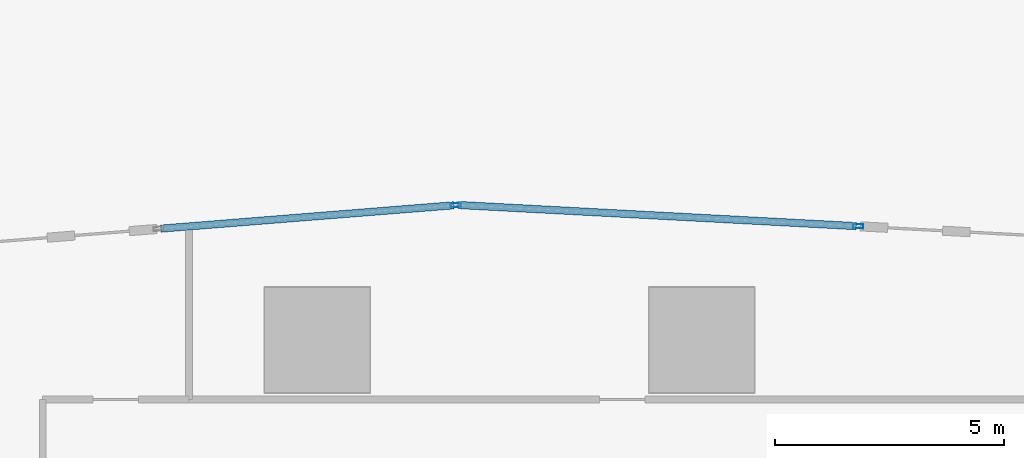
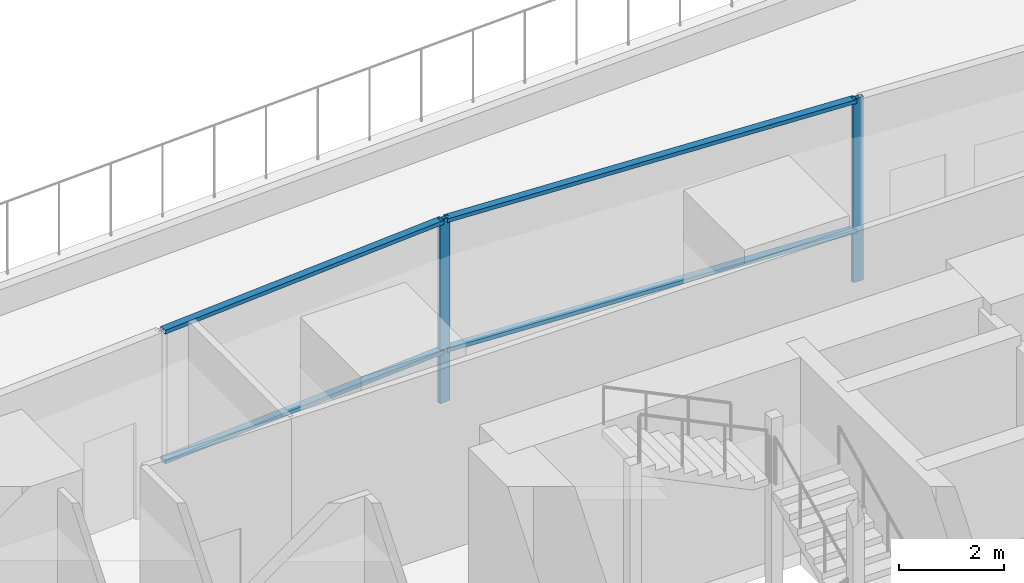
# One storey, part 10 of 39: 6 members, 2 elements without a shape of their own.
"""IFC4 building model written with IfcOpenShell, lengths in metres."""

from ifc_helpers import new_model, si_unit, direction, frame, origin, origin_2d, place, context, subcontext, project, spatial, hollow_rectangle, extrude, material, material_profile, profile_set, type_object, element, aggregate, save


model = new_model("IFC4")

# Units and contexts
model_context = context("Model", 3, precision=1e-05, world=origin(), true_north=direction((0.0, 1.0)))
body_context = subcontext(model_context, "Body", "Model", "MODEL_VIEW")
ifc_project = project(units=[si_unit("LENGTHUNIT", "METRE"), si_unit("AREAUNIT", "SQUARE_METRE"), si_unit("VOLUMEUNIT", "CUBIC_METRE"), si_unit("PLANEANGLEUNIT", "RADIAN"), si_unit("MASSUNIT", "GRAM", prefix="KILO")], contexts=[model_context])

# Site, building, storey
site_placement = place(None, origin())
site = spatial("IfcSite", under=ifc_project, at=site_placement, CompositionType="ELEMENT")
building_placement = place(site_placement, origin())
building = spatial("IfcBuilding", under=site, at=building_placement, Name="Rekha Terrace Tower", CompositionType="ELEMENT")
storey_placement = place(building_placement, frame((0.0, 0.0, 245.60009765625)))
storey = spatial("IfcBuildingStorey", under=building, at=storey_placement, Name="L62", CompositionType="ELEMENT", Elevation=245.60009765625)

# Curtain wall, member
ifc_material_1 = material(Name="Aluminium framing", Category="aluminium")
curtain_wall_type = type_object("IfcCurtainWallType", Name="CW5 sky garden glazing", PredefinedType="USERDEFINED", material=ifc_material_1)
curtain_wall_1_placement = place(storey_placement, origin())
curtain_wall_1 = element("IfcCurtainWall", 1, at=curtain_wall_1_placement, inside=storey, type_object=curtain_wall_type, Name="CW5 sky garden curtain wall", ObjectType="SKY GARDEN CURTAIN WALL", PredefinedType="USERDEFINED")
ifc_material_2 = material(Name="Aluminium mullion section", Category="aluminium")
ifc_material_profile_1 = material_profile(ifc_material_2, hollow_rectangle(XDim=0.090087890625, YDim=0.219970703125, WallThickness=0.00390625, at=origin_2d()), Name="AL RHS 90x220")
ifc_profile_set_1 = profile_set([ifc_material_profile_1], Name="Aluminium mullion section")
member_type_1 = type_object("IfcMemberType", Name="CW5 mullion RHS 90 x 220", PredefinedType="MULLION", material=ifc_profile_set_1)
member_1_placement = place(storey_placement, frame((37.021240234375, 52.884521484375, 0.0), z_axis=(0.0, 0.0, 1.0), x_axis=(-0.053083275576, -0.998590089003, 0.0)))
member_1 = element("IfcMember", 2, at=member_1_placement, type_object=member_type_1, Name="CW5 mullion 1", PredefinedType="MULLION", context=body_context, shape_type="SweptSolid", body=[
    extrude(hollow_rectangle(XDim=0.090087890625, YDim=0.219970703125, WallThickness=0.00390625, at=origin_2d()), origin(), (0.0, 0.0, 1.0), 4.25),
])

curtain_wall_2_placement = place(storey_placement, origin())
curtain_wall_2 = element("IfcCurtainWall", 3, at=curtain_wall_2_placement, inside=storey, type_object=curtain_wall_type, Name="CW5 sky garden curtain wall", ObjectType="SKY GARDEN CURTAIN WALL", PredefinedType="USERDEFINED")
member_2_placement = place(storey_placement, frame((28.227783203125, 53.345947265625, 0.0), z_axis=(0.0, 0.0, 1.0), x_axis=(0.079485051575, -0.996836058024, 0.0)))
member_2 = element("IfcMember", 4, at=member_2_placement, type_object=member_type_1, Name="CW5 mullion 1", PredefinedType="MULLION", context=body_context, shape_type="SweptSolid", body=[
    extrude(hollow_rectangle(XDim=0.090087890625, YDim=0.219970703125, WallThickness=0.00390625, at=origin_2d()), origin(), (0.0, 0.0, 1.0), 4.25),
])

# Member
ifc_material_3 = material(Name="Aluminium transom section", Category="aluminium")
ifc_material_profile_2 = material_profile(ifc_material_3, hollow_rectangle(XDim=0.159912109375, YDim=0.090087890625, WallThickness=0.0029296875, at=origin_2d()), Name="AL RHS 160x90")
ifc_profile_set_2 = profile_set([ifc_material_profile_2], Name="Aluminium transom section")
member_type_2 = type_object("IfcMemberType", Name="CW5 transom RHS 90 x 160", PredefinedType="USERDEFINED", material=ifc_profile_set_2)
member_3_placement = place(storey_placement, frame((36.976318359375, 52.886962890625, 1.199951171875), z_axis=(-0.998590223648, 0.053080742603, 0.0), x_axis=(-0.053080742603, -0.998590223648, 0.0)))
member_3 = element("IfcMember", 5, at=member_3_placement, type_object=member_type_2, Name="CW5 transom 1.2", ObjectType="TRANSOM", PredefinedType="USERDEFINED", context=body_context, shape_type="SweptSolid", body=[
    extrude(hollow_rectangle(XDim=0.159912109375, YDim=0.090087890625, WallThickness=0.0029296875, at=origin_2d()), origin(), (0.0, 0.0, 1.0), 8.7158203125),
])

member_4_placement = place(storey_placement, frame((36.976318359375, 52.886962890625, 4.204833984375), z_axis=(-0.998590223648, 0.053080742603, 0.0), x_axis=(-0.053080742603, -0.998590223648, 0.0)))
member_4 = element("IfcMember", 6, at=member_4_placement, type_object=member_type_2, Name="CW5 transom 1.3", ObjectType="TRANSOM", PredefinedType="USERDEFINED", context=body_context, shape_type="SweptSolid", body=[
    extrude(hollow_rectangle(XDim=0.159912109375, YDim=0.090087890625, WallThickness=0.0029296875, at=origin_2d()), origin(), (0.0, 0.0, 1.0), 8.7158203125),
])

aggregate(curtain_wall_1, [member_1, member_3, member_4])

member_5_placement = place(storey_placement, frame((28.182861328125, 53.342529296875, 1.199951171875), z_axis=(-0.996835433516, -0.079492883242, 0.0), x_axis=(0.079492883242, -0.996835433516, 0.0)))
member_5 = element("IfcMember", 7, at=member_5_placement, type_object=member_type_2, Name="CW5 transom 1.2", ObjectType="TRANSOM", PredefinedType="USERDEFINED", context=body_context, shape_type="SweptSolid", body=[
    extrude(hollow_rectangle(XDim=0.159912109375, YDim=0.090087890625, WallThickness=0.0029296875, at=origin_2d()), origin(), (0.0, 0.0, 1.0), 6.421875),
])

member_6_placement = place(storey_placement, frame((28.182861328125, 53.342529296875, 4.204833984375), z_axis=(-0.996835433516, -0.079492883242, 0.0), x_axis=(0.079492883242, -0.996835433516, 0.0)))
member_6 = element("IfcMember", 8, at=member_6_placement, type_object=member_type_2, Name="CW5 transom 1.3", ObjectType="TRANSOM", PredefinedType="USERDEFINED", context=body_context, shape_type="SweptSolid", body=[
    extrude(hollow_rectangle(XDim=0.159912109375, YDim=0.090087890625, WallThickness=0.0029296875, at=origin_2d()), origin(), (0.0, 0.0, 1.0), 6.421875),
])

aggregate(curtain_wall_2, [member_2, member_5, member_6])

save(model, "model.ifc")
